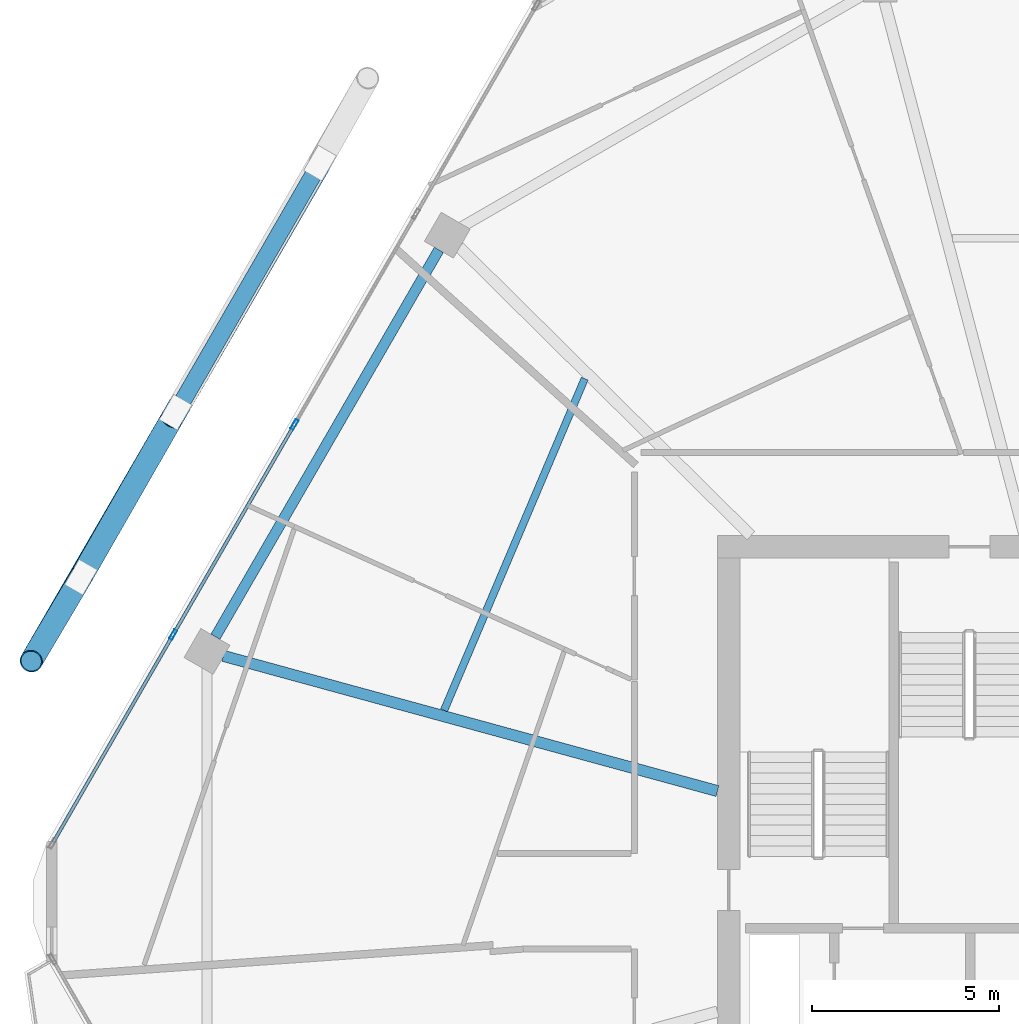
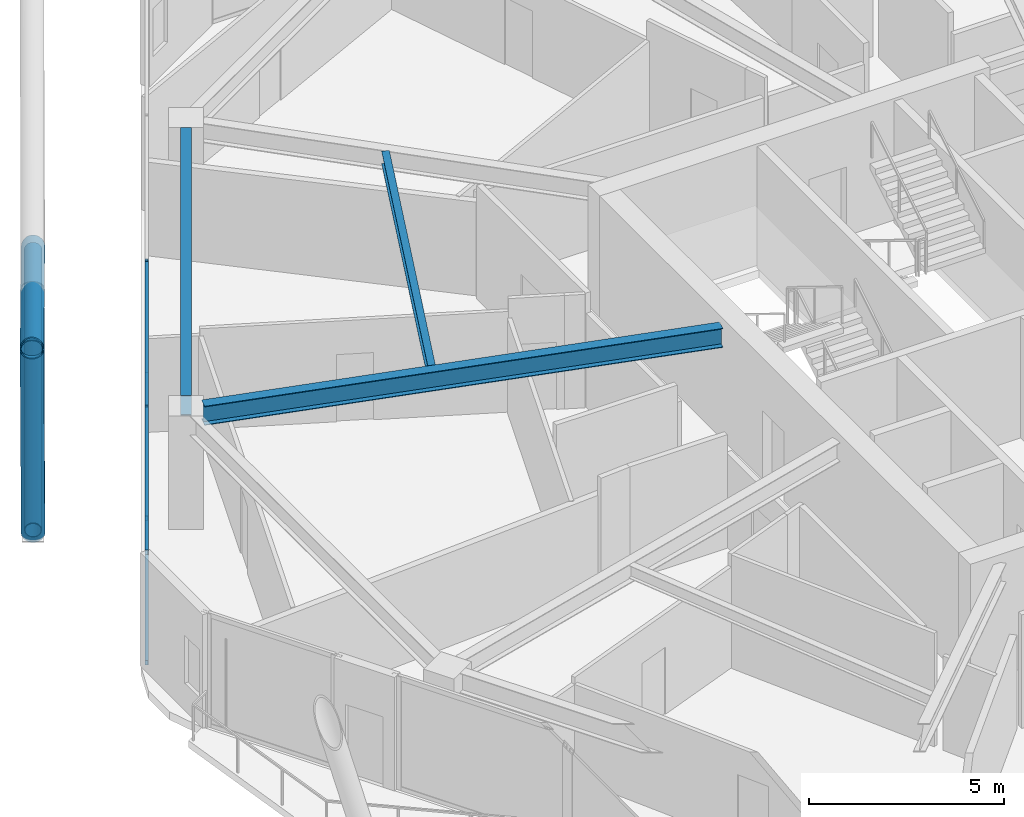
# One storey, part 12 of 27: 10 members, 3 beams, 1 element without a shape of its own.
"""IFC4 building model written with IfcOpenShell, lengths in metres."""

from ifc_helpers import new_model, si_unit, direction, frame, origin, origin_2d, place, context, subcontext, project, spatial, hollow_rectangle, hollow_circle, i_section, extrude, material, material_profile, profile_set, type_object, element, aggregate, save


model = new_model("IFC4")

# Units and contexts
model_context = context("Model", 3, precision=1e-05, world=origin(), true_north=direction((0.0, 1.0)))
body_context = subcontext(model_context, "Body", "Model", "MODEL_VIEW")
ifc_project = project(units=[si_unit("LENGTHUNIT", "METRE"), si_unit("AREAUNIT", "SQUARE_METRE"), si_unit("VOLUMEUNIT", "CUBIC_METRE"), si_unit("PLANEANGLEUNIT", "RADIAN"), si_unit("MASSUNIT", "GRAM", prefix="KILO")], contexts=[model_context])

# Site, building, storey
site_placement = place(None, origin())
site = spatial("IfcSite", under=ifc_project, at=site_placement, CompositionType="ELEMENT")
building_placement = place(site_placement, origin())
building = spatial("IfcBuilding", under=site, at=building_placement, Name="Zuhravey Tower", CompositionType="ELEMENT")
storey_placement = place(building_placement, frame((0.0, 0.0, 238.800048828125)))
storey = spatial("IfcBuildingStorey", under=building, at=storey_placement, Name="L60", CompositionType="ELEMENT", Elevation=238.800048828125)

# Curtain wall, members
ifc_material_1 = material(Name="Thermally broken anodised aluminium", Category="aluminium")
curtain_wall_type = type_object("IfcCurtainWallType", Name="Zone 3-4 High-Rise Curtain Wall CW4", PredefinedType="NOTDEFINED", material=ifc_material_1)
curtain_wall_placement = place(storey_placement, origin())
curtain_wall = element("IfcCurtainWall", 1, at=curtain_wall_placement, inside=storey, type_object=curtain_wall_type, Name="L60 CW4 CW-L60-F3-1", PredefinedType="NOTDEFINED")
ifc_material_2 = material(Name="Anodised aluminium", Category="aluminium")
ifc_material_profile_1 = material_profile(ifc_material_2, hollow_rectangle(XDim=0.090087890625, YDim=0.284912109375, WallThickness=0.0048828125, at=origin_2d()), Name="ALU-RHS-90x285x5")
ifc_profile_set_1 = profile_set([ifc_material_profile_1], Name="Anodised aluminium")
member_type_1 = type_object("IfcMemberType", Name="Curtain-Wall Mullion 90x180", PredefinedType="MULLION", material=ifc_profile_set_1)
member_1_placement = place(storey_placement, frame((10.608154296875, 39.147216796875, 0.0), z_axis=(0.0, 0.0, 1.0), x_axis=(-0.866024851021, 0.500000957414, 0.0)))
member_1 = element("IfcMember", 2, at=member_1_placement, type_object=member_type_1, Name="CW4 mullion 2", PredefinedType="MULLION", context=body_context, shape_type="SweptSolid", body=[
    extrude(hollow_rectangle(XDim=0.090087890625, YDim=0.284912109375, WallThickness=0.0048828125, at=origin_2d()), origin(), (0.0, 0.0, 1.0), 3.550048828125),
])
member_2_placement = place(storey_placement, frame((13.861328125, 44.78173828125, 0.0), z_axis=(0.0, 0.0, 1.0), x_axis=(-0.866024851021, 0.500000957414, 0.0)))
member_2 = element("IfcMember", 3, at=member_2_placement, type_object=member_type_1, Name="CW4 mullion 3", PredefinedType="MULLION", context=body_context, shape_type="SweptSolid", body=[
    extrude(hollow_rectangle(XDim=0.090087890625, YDim=0.284912109375, WallThickness=0.0048828125, at=origin_2d()), origin(), (0.0, 0.0, 1.0), 3.550048828125),
])
ifc_material_profile_2 = material_profile(ifc_material_2, hollow_rectangle(XDim=0.090087890625, YDim=0.14990234375, WallThickness=0.0048828125, at=origin_2d()), Name="ALU-RHS-90x150x5")
ifc_profile_set_2 = profile_set([ifc_material_profile_2], Name="Anodised aluminium")
member_type_2 = type_object("IfcMemberType", Name="Curtain-Wall Transom 90x150", PredefinedType="USERDEFINED", material=ifc_profile_set_2)
member_3_placement = place(storey_placement, frame((7.39990234375, 33.59033203125, 0.044921875), z_axis=(0.500008810174, 0.866020317169, 0.0), x_axis=(-0.866020317169, 0.500008810174, 0.0)))
member_3 = element("IfcMember", 4, at=member_3_placement, type_object=member_type_2, Name="CW4 transom 1.1", ObjectType="TRANSOM", PredefinedType="USERDEFINED", context=body_context, shape_type="SweptSolid", body=[
    extrude(hollow_rectangle(XDim=0.090087890625, YDim=0.14990234375, WallThickness=0.0048828125, at=origin_2d()), origin(), (0.0, 0.0, 1.0), 6.37158203125),
])
member_4_placement = place(storey_placement, frame((7.39990234375, 33.59033203125, 3.5048828125), z_axis=(0.500008810174, 0.866020317169, 0.0), x_axis=(-0.866020317169, 0.500008810174, 0.0)))
member_4 = element("IfcMember", 5, at=member_4_placement, type_object=member_type_2, Name="CW4 transom 1.2", ObjectType="TRANSOM", PredefinedType="USERDEFINED", context=body_context, shape_type="SweptSolid", body=[
    extrude(hollow_rectangle(XDim=0.090087890625, YDim=0.14990234375, WallThickness=0.0048828125, at=origin_2d()), origin(), (0.0, 0.0, 1.0), 6.37158203125),
])
member_5_placement = place(storey_placement, frame((10.630615234375, 39.18603515625, 0.044921875), z_axis=(0.499998017366, 0.866026548456, 0.0), x_axis=(-0.866026548456, 0.499998017366, 0.0)))
member_5 = element("IfcMember", 6, at=member_5_placement, type_object=member_type_2, Name="CW4 transom 2.1", ObjectType="TRANSOM", PredefinedType="USERDEFINED", context=body_context, shape_type="SweptSolid", body=[
    extrude(hollow_rectangle(XDim=0.090087890625, YDim=0.14990234375, WallThickness=0.0048828125, at=origin_2d()), origin(), (0.0, 0.0, 1.0), 6.41650390625),
])
member_6_placement = place(storey_placement, frame((10.630615234375, 39.18603515625, 3.5048828125), z_axis=(0.499998017366, 0.866026548456, 0.0), x_axis=(-0.866026548456, 0.499998017366, 0.0)))
member_6 = element("IfcMember", 7, at=member_6_placement, type_object=member_type_2, Name="CW4 transom 2.2", ObjectType="TRANSOM", PredefinedType="USERDEFINED", context=body_context, shape_type="SweptSolid", body=[
    extrude(hollow_rectangle(XDim=0.090087890625, YDim=0.14990234375, WallThickness=0.0048828125, at=origin_2d()), origin(), (0.0, 0.0, 1.0), 6.41650390625),
])
aggregate(curtain_wall, [member_1, member_2, member_3, member_4, member_5, member_6])

# Members
ifc_material_3 = material(Name="Steel SM355", Category="steel")
ifc_material_profile_3 = material_profile(ifc_material_3, hollow_circle(Radius=0.228515625, WallThickness=0.02197265625, at=origin_2d()), Name="CHS-457.2x22")
ifc_profile_set_3 = profile_set([ifc_material_profile_3], Name="Steel SM355")
member_type_3 = type_object("IfcMemberType", Name="Exoskeleton Ring Tie CHS457x22", PredefinedType="CHORD", material=ifc_profile_set_3)
member_7_placement = place(storey_placement, frame((14.47509765625, 51.664794921875, -0.464111328125), z_axis=(-0.50000793057, -0.866020825019, 0.0), x_axis=(0.866020825019, -0.50000793057, 0.0)))
element("IfcMember", 8, at=member_7_placement, inside=storey, type_object=member_type_3, Name="L60 Exoskeleton Face 3 Tie EXR1", PredefinedType="CHORD", context=body_context, shape_type="SweptSolid", body=[
    extrude(hollow_circle(Radius=0.228515625, WallThickness=0.02197265625, at=origin_2d()), origin(), (0.0, 0.0, 1.0), 12.535400390625),
])
ifc_material_profile_4 = material_profile(ifc_material_3, hollow_circle(Radius=0.3046875, WallThickness=0.028076171875, at=origin_2d()), Name="CHS-609.6x28")
ifc_profile_set_4 = profile_set([ifc_material_profile_4], Name="Steel SM355")
member_type_4 = type_object("IfcMemberType", Name="Exoskeleton Zone 3 Diagrid CHS610x28", PredefinedType="BRACE", material=ifc_profile_set_4)
member_8_placement = place(storey_placement, frame((14.526611328125, 51.75439453125, -0.446044921875), z_axis=(-0.450085318429, -0.77609421854, 0.441702354627), x_axis=(0.865055050852, -0.501676946845, 0.0)))
element("IfcMember", 9, at=member_8_placement, inside=storey, type_object=member_type_4, Name="L60 Face 3 Diagrid Brace 2", PredefinedType="BRACE", context=body_context, shape_type="SweptSolid", body=[
    extrude(hollow_circle(Radius=0.3046875, WallThickness=0.028076171875, at=origin_2d()), origin(), (0.0, 0.0, 1.0), 17.12451171875),
])
member_9_placement = place(storey_placement, frame((8.134033203125, 40.682373046875, -0.446044921875), z_axis=(-0.166232455223, -0.280532524471, 0.945340295102), x_axis=(0.860303693038, -0.50978187075, 0.0)))
element("IfcMember", 10, at=member_9_placement, inside=storey, type_object=member_type_4, Name="L60 Face 3 Diagrid Brace 4", PredefinedType="BRACE", context=body_context, shape_type="SweptSolid", body=[
    extrude(hollow_circle(Radius=0.3046875, WallThickness=0.028076171875, at=origin_2d()), origin(), (0.0, 0.0, 1.0), 8.001220703125),
])
member_10_placement = place(storey_placement, frame((8.153564453125, 40.7158203125, -0.439697265625), z_axis=(0.398806408664, 0.695488862522, 0.597702844661), x_axis=(-0.86749842423, 0.49743993, 0.0)))
element("IfcMember", 11, at=member_10_placement, inside=storey, type_object=member_type_4, Name="L60 Face 3 Split Diagrid Brace 3A", PredefinedType="BRACE", context=body_context, shape_type="SweptSolid", body=[
    extrude(hollow_circle(Radius=0.3046875, WallThickness=0.028076171875, at=origin_2d()), origin(), (0.0, 0.0, 1.0), 6.02197265625),
])

# Beams
ifc_material_profile_5 = material_profile(ifc_material_3, i_section(OverallWidth=0.280029296875, OverallDepth=0.6201171875, WebThickness=0.011962890625, FlangeThickness=0.02001953125, at=origin_2d()), Name="H-620x280x12x20")
ifc_profile_set_5 = profile_set([ifc_material_profile_5], Name="Steel SM355")
beam_type_1 = type_object("IfcBeamType", Name="Perimeter Ring Beam H620x280", PredefinedType="BEAM", material=ifc_profile_set_5)
beam_1_placement = place(storey_placement, frame((17.72998046875, 49.46240234375, 3.239990234375), z_axis=(-0.500017744717, -0.866015158625, 0.0), x_axis=(0.866015158625, -0.500017744717, 0.0)))
element("IfcBeam", 12, at=beam_1_placement, inside=storey, type_object=beam_type_1, Name="L60 PB3 BM-L60-PB-05", PredefinedType="BEAM", context=body_context, shape_type="SweptSolid", body=[
    extrude(i_section(OverallWidth=0.280029296875, OverallDepth=0.6201171875, WebThickness=0.011962890625, FlangeThickness=0.02001953125, at=origin_2d()), origin(), (0.0, 0.0, 1.0), 11.9755859375),
])
ifc_material_profile_6 = material_profile(ifc_material_3, i_section(OverallWidth=0.300048828125, OverallDepth=0.60009765625, WebThickness=0.011962890625, FlangeThickness=0.02001953125, at=origin_2d()), Name="H-600x300x12x20")
ifc_profile_set_6 = profile_set([ifc_material_profile_6], Name="Steel SM355")
beam_type_2 = type_object("IfcBeamType", Name="Radial Primary Girder H600x300", PredefinedType="BEAM", material=ifc_profile_set_6)
beam_2_placement = place(storey_placement, frame((25.197021484375, 34.95556640625, 3.25), z_axis=(-0.964548913045, 0.26390413855, 0.0), x_axis=(-0.26390413855, -0.964548913045, 0.0)))
element("IfcBeam", 13, at=beam_2_placement, inside=storey, type_object=beam_type_2, Name="L60 RG3 BM-L60-RAD-06", PredefinedType="BEAM", context=body_context, shape_type="SweptSolid", body=[
    extrude(i_section(OverallWidth=0.300048828125, OverallDepth=0.60009765625, WebThickness=0.011962890625, FlangeThickness=0.02001953125, at=origin_2d()), origin(), (0.0, 0.0, 1.0), 13.7314453125),
])
ifc_material_profile_7 = material_profile(ifc_material_3, i_section(OverallWidth=0.199951171875, OverallDepth=0.39990234375, WebThickness=0.008056640625, FlangeThickness=0.012939453125, at=origin_2d()), Name="H-400x200x8x13")
ifc_profile_set_7 = profile_set([ifc_material_profile_7], Name="Steel SM355")
beam_type_3 = type_object("IfcBeamType", Name="Secondary Floor Joist H400x200", PredefinedType="JOIST", material=ifc_profile_set_7)
beam_3_placement = place(storey_placement, frame((21.63916015625, 46.009033203125, 3.349853515625), z_axis=(-0.390413493754, -0.920639616731, 0.0), x_axis=(0.920639616731, -0.390413493754, 0.0)))
element("IfcBeam", 14, at=beam_3_placement, inside=storey, type_object=beam_type_3, Name="L60 SJ2 BM-L60-SJ-05-1", PredefinedType="JOIST", context=body_context, shape_type="SweptSolid", body=[
    extrude(i_section(OverallWidth=0.199951171875, OverallDepth=0.39990234375, WebThickness=0.008056640625, FlangeThickness=0.012939453125, at=origin_2d()), origin(), (0.0, 0.0, 1.0), 9.656494140625),
])

save(model, "model.ifc")
